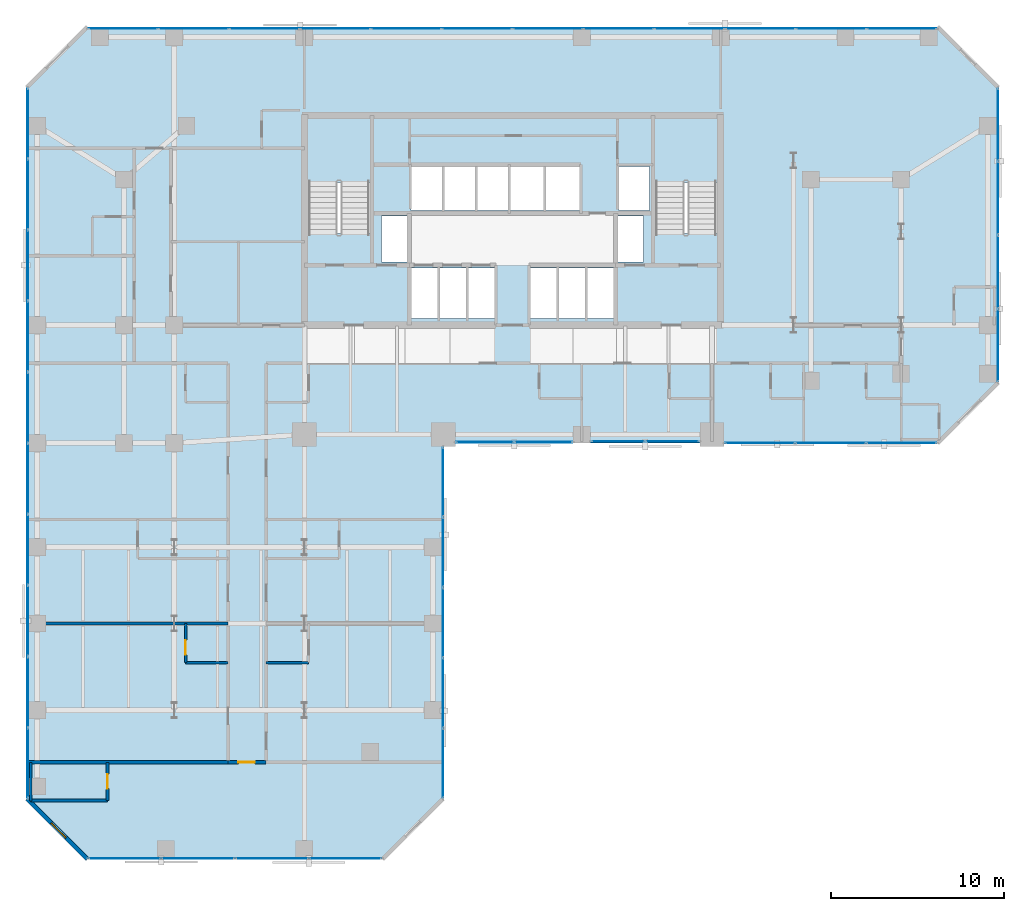
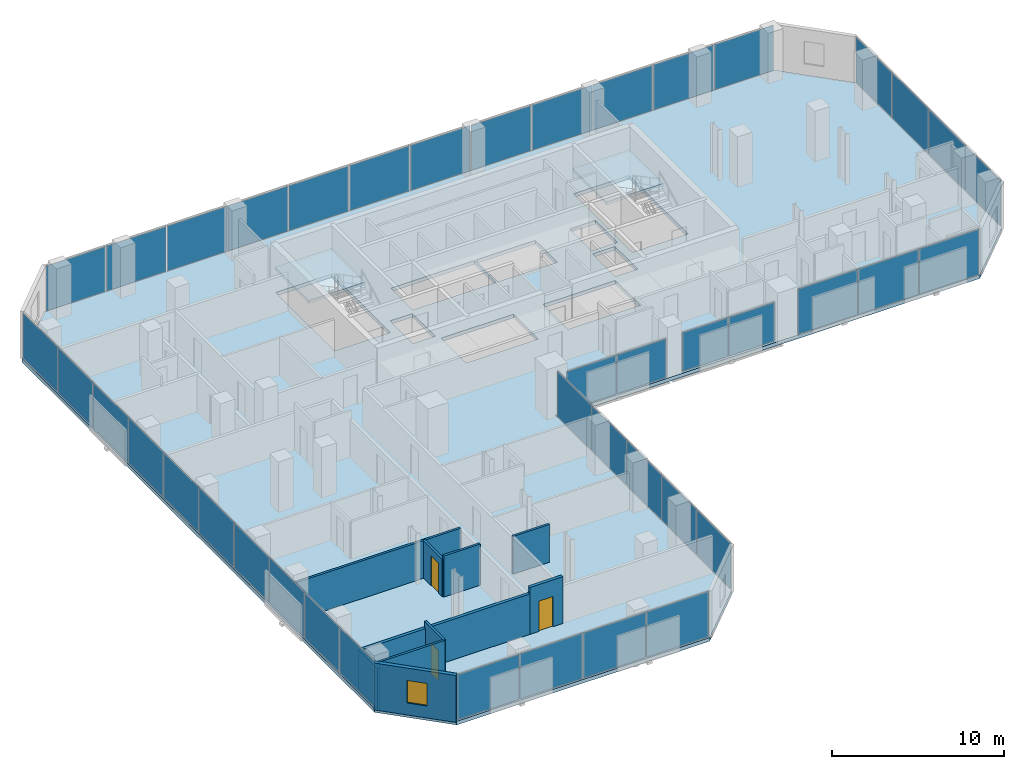
# One storey, part 26 of 32: 42 plates, 10 walls, 3 doors, 3 slabs, 1 window, 4 openings, 10 elements without a shape of their own.
"""IFC4 building model written with IfcOpenShell, lengths in metres."""

from ifc_helpers import new_model, si_unit, direction, frame, frame_2d, origin, origin_2d, place, context, subcontext, project, spatial, polyline, rectangle, outline, extrude, material, layer, layer_set, type_object, element, fill, aggregate, save


model = new_model("IFC4")

# Units and contexts
model_context = context("Model", 3, precision=1e-05, world=origin(), true_north=direction((0.0, 1.0)))
body_context = subcontext(model_context, "Body", "Model", "MODEL_VIEW")
ifc_project = project(units=[si_unit("LENGTHUNIT", "METRE"), si_unit("AREAUNIT", "SQUARE_METRE"), si_unit("VOLUMEUNIT", "CUBIC_METRE"), si_unit("PLANEANGLEUNIT", "RADIAN"), si_unit("MASSUNIT", "GRAM", prefix="KILO")], contexts=[model_context])

# Site, building, storey
site_placement = place(None, origin())
site = spatial("IfcSite", under=ifc_project, at=site_placement, CompositionType="ELEMENT")
building_placement = place(site_placement, origin())
building = spatial("IfcBuilding", under=site, at=building_placement, Name="Catumbela Crestline Tower", CompositionType="ELEMENT")
storey_placement = place(building_placement, frame((0.0, 0.0, 33.0)))
storey = spatial("IfcBuildingStorey", under=building, at=storey_placement, Name="L07", CompositionType="ELEMENT", Elevation=33.0)

# Curtain wall, plates
ifc_material_1 = material(Name="Aluminium alloy AW-6060-T66", Category="aluminium")
ifc_layer_1 = layer(ifc_material_1, 0.18, Name="Aluminium alloy AW-6060-T66")
ifc_layer_set_1 = layer_set([ifc_layer_1], Name="Aluminium alloy AW-6060-T66")
curtain_wall_type = type_object("IfcCurtainWallType", Name="CWU-Z1", PredefinedType="USERDEFINED", material=ifc_layer_set_1)
curtain_wall_1_placement = place(storey_placement, origin())
curtain_wall_1 = element("IfcCurtainWall", 1, at=curtain_wall_1_placement, inside=storey, type_object=curtain_wall_type, Name="L07 Unitised Curtain Wall CW-L07-E0S1", ObjectType="UNITISED", PredefinedType="USERDEFINED")
ifc_material_2 = material(Name="Low-E laminated solar-control double glazing", Category="glass")
ifc_layer_2 = layer(ifc_material_2, 0.034, Name="Low-E laminated solar-control double glazing")
ifc_layer_set_2 = layer_set([ifc_layer_2], Name="Low-E laminated solar-control double glazing")
plate_type = type_object("IfcPlateType", Name="PNL-GLZ-Z1", PredefinedType="CURTAIN_PANEL", material=ifc_layer_set_2)
plate_1_placement = place(storey_placement, frame((5.6412, 0.05, 0.06), z_axis=(0.0, 0.0, 1.0), x_axis=(1.0, 0.0, 0.0)))
plate_1 = element("IfcPlate", 2, at=plate_1_placement, type_object=plate_type, Name="CWU-Z1 panel 1.1", PredefinedType="CURTAIN_PANEL", context=body_context, shape_type="SweptSolid", body=[
    extrude(rectangle(XDim=4.1525, YDim=0.034, at=origin_2d()), origin(), (0.0, 0.0, 1.0), 3.21),
])
plate_2_placement = place(storey_placement, frame((9.875, 0.05, 0.06), z_axis=(0.0, 0.0, 1.0), x_axis=(1.0, 0.0, 0.0)))
plate_2 = element("IfcPlate", 3, at=plate_2_placement, type_object=plate_type, Name="CWU-Z1 panel 2.1", PredefinedType="CURTAIN_PANEL", context=body_context, shape_type="SweptSolid", body=[
    extrude(rectangle(XDim=4.185, YDim=0.034, at=origin_2d()), origin(), (0.0, 0.0, 1.0), 3.21),
])
plate_3_placement = place(storey_placement, frame((14.125, 0.05, 0.06), z_axis=(0.0, 0.0, 1.0), x_axis=(1.0, 0.0, 0.0)))
plate_3 = element("IfcPlate", 4, at=plate_3_placement, type_object=plate_type, Name="CWU-Z1 panel 3.1", PredefinedType="CURTAIN_PANEL", context=body_context, shape_type="SweptSolid", body=[
    extrude(rectangle(XDim=4.185, YDim=0.034, at=origin_2d()), origin(), (0.0, 0.0, 1.0), 3.21),
])
plate_4_placement = place(storey_placement, frame((18.3588, 0.05, 0.06), z_axis=(0.0, 0.0, 1.0), x_axis=(1.0, 0.0, 0.0)))
plate_4 = element("IfcPlate", 5, at=plate_4_placement, type_object=plate_type, Name="CWU-Z1 panel 4.1", PredefinedType="CURTAIN_PANEL", context=body_context, shape_type="SweptSolid", body=[
    extrude(rectangle(XDim=4.1525, YDim=0.034, at=origin_2d()), origin(), (0.0, 0.0, 1.0), 3.21),
])
aggregate(curtain_wall_1, [plate_1, plate_2, plate_3, plate_4])

curtain_wall_2_placement = place(storey_placement, origin())
curtain_wall_2 = element("IfcCurtainWall", 6, at=curtain_wall_2_placement, inside=storey, type_object=curtain_wall_type, Name="L07 Unitised Curtain Wall CW-L07-E2S1", ObjectType="UNITISED", PredefinedType="USERDEFINED")
plate_5_placement = place(storey_placement, frame((24.0, 5.5462, 0.06), z_axis=(0.0, 0.0, 1.0), x_axis=(0.0, 1.0, 0.0)))
plate_5 = element("IfcPlate", 7, at=plate_5_placement, type_object=plate_type, Name="CWU-Z1 panel 1.1", PredefinedType="CURTAIN_PANEL", context=body_context, shape_type="SweptSolid", body=[
    extrude(rectangle(XDim=3.9625, YDim=0.034, at=origin_2d()), origin(), (0.0, 0.0, 1.0), 3.21),
])
plate_6_placement = place(storey_placement, frame((24.0, 9.59, 0.06), z_axis=(0.0, 0.0, 1.0), x_axis=(0.0, 1.0, 0.0)))
plate_6 = element("IfcPlate", 8, at=plate_6_placement, type_object=plate_type, Name="CWU-Z1 panel 2.1", PredefinedType="CURTAIN_PANEL", context=body_context, shape_type="SweptSolid", body=[
    extrude(rectangle(XDim=3.995, YDim=0.034, at=origin_2d()), origin(), (0.0, 0.0, 1.0), 3.21),
])
plate_7_placement = place(storey_placement, frame((24.0, 13.65, 0.06), z_axis=(0.0, 0.0, 1.0), x_axis=(0.0, 1.0, 0.0)))
plate_7 = element("IfcPlate", 9, at=plate_7_placement, type_object=plate_type, Name="CWU-Z1 panel 3.1", PredefinedType="CURTAIN_PANEL", context=body_context, shape_type="SweptSolid", body=[
    extrude(rectangle(XDim=3.995, YDim=0.034, at=origin_2d()), origin(), (0.0, 0.0, 1.0), 3.21),
])
plate_8_placement = place(storey_placement, frame((24.0, 17.71, 0.06), z_axis=(0.0, 0.0, 1.0), x_axis=(0.0, 1.0, 0.0)))
plate_8 = element("IfcPlate", 10, at=plate_8_placement, type_object=plate_type, Name="CWU-Z1 panel 4.1", PredefinedType="CURTAIN_PANEL", context=body_context, shape_type="SweptSolid", body=[
    extrude(rectangle(XDim=3.995, YDim=0.034, at=origin_2d()), origin(), (0.0, 0.0, 1.0), 3.21),
])
plate_9_placement = place(storey_placement, frame((24.0, 21.7538, 0.06), z_axis=(0.0, 0.0, 1.0), x_axis=(0.0, 1.0, 0.0)))
plate_9 = element("IfcPlate", 11, at=plate_9_placement, type_object=plate_type, Name="CWU-Z1 panel 5.1", PredefinedType="CURTAIN_PANEL", context=body_context, shape_type="SweptSolid", body=[
    extrude(rectangle(XDim=3.9625, YDim=0.034, at=origin_2d()), origin(), (0.0, 0.0, 1.0), 3.21),
])
aggregate(curtain_wall_2, [plate_5, plate_6, plate_7, plate_8, plate_9])

curtain_wall_3_placement = place(storey_placement, origin())
curtain_wall_3 = element("IfcCurtainWall", 12, at=curtain_wall_3_placement, inside=storey, type_object=curtain_wall_type, Name="L07 Unitised Curtain Wall CW-L07-E3S1", ObjectType="UNITISED", PredefinedType="USERDEFINED")
plate_10_placement = place(storey_placement, frame((26.4162, 24.05, 0.06), z_axis=(0.0, 0.0, 1.0), x_axis=(1.0, 0.0, 0.0)))
plate_10 = element("IfcPlate", 13, at=plate_10_placement, type_object=plate_type, Name="CWU-Z1 panel 1.1", PredefinedType="CURTAIN_PANEL", context=body_context, shape_type="SweptSolid", body=[
    extrude(rectangle(XDim=3.3025, YDim=0.034, at=origin_2d()), origin(), (0.0, 0.0, 1.0), 2.75),
])
plate_11_placement = place(storey_placement, frame((29.7838, 24.05, 0.06), z_axis=(0.0, 0.0, 1.0), x_axis=(1.0, 0.0, 0.0)))
plate_11 = element("IfcPlate", 14, at=plate_11_placement, type_object=plate_type, Name="CWU-Z1 panel 2.1", PredefinedType="CURTAIN_PANEL", context=body_context, shape_type="SweptSolid", body=[
    extrude(rectangle(XDim=3.3025, YDim=0.034, at=origin_2d()), origin(), (0.0, 0.0, 1.0), 2.75),
])
aggregate(curtain_wall_3, [plate_10, plate_11])

curtain_wall_4_placement = place(storey_placement, origin())
curtain_wall_4 = element("IfcCurtainWall", 15, at=curtain_wall_4_placement, inside=storey, type_object=curtain_wall_type, Name="L07 Unitised Curtain Wall CW-L07-E3S2", ObjectType="UNITISED", PredefinedType="USERDEFINED")
plate_12_placement = place(storey_placement, frame((34.0912, 24.1, 0.06), z_axis=(0.0, 0.0, 1.0), x_axis=(1.0, 0.0, 0.0)))
plate_12 = element("IfcPlate", 16, at=plate_12_placement, type_object=plate_type, Name="CWU-Z1 panel 1.1", PredefinedType="CURTAIN_PANEL", context=body_context, shape_type="SweptSolid", body=[
    extrude(rectangle(XDim=3.0525, YDim=0.034, at=origin_2d()), origin(), (0.0, 0.0, 1.0), 2.75),
])
plate_13_placement = place(storey_placement, frame((37.2088, 24.1, 0.06), z_axis=(0.0, 0.0, 1.0), x_axis=(1.0, 0.0, 0.0)))
plate_13 = element("IfcPlate", 17, at=plate_13_placement, type_object=plate_type, Name="CWU-Z1 panel 2.1", PredefinedType="CURTAIN_PANEL", context=body_context, shape_type="SweptSolid", body=[
    extrude(rectangle(XDim=3.0525, YDim=0.034, at=origin_2d()), origin(), (0.0, 0.0, 1.0), 2.75),
])
aggregate(curtain_wall_4, [plate_12, plate_13])

curtain_wall_5_placement = place(storey_placement, origin())
curtain_wall_5 = element("IfcCurtainWall", 18, at=curtain_wall_5_placement, inside=storey, type_object=curtain_wall_type, Name="L07 Unitised Curtain Wall CW-L07-E3S3", ObjectType="UNITISED", PredefinedType="USERDEFINED")
plate_14_placement = place(storey_placement, frame((42.2662, 24.0, 0.06), z_axis=(0.0, 0.0, 1.0), x_axis=(1.0, 0.0, 0.0)))
plate_14 = element("IfcPlate", 19, at=plate_14_placement, type_object=plate_type, Name="CWU-Z1 panel 1.1", PredefinedType="CURTAIN_PANEL", context=body_context, shape_type="SweptSolid", body=[
    extrude(rectangle(XDim=4.0025, YDim=0.034, at=origin_2d()), origin(), (0.0, 0.0, 1.0), 3.21),
])
plate_15_placement = place(storey_placement, frame((46.35, 24.0, 0.06), z_axis=(0.0, 0.0, 1.0), x_axis=(1.0, 0.0, 0.0)))
plate_15 = element("IfcPlate", 20, at=plate_15_placement, type_object=plate_type, Name="CWU-Z1 panel 2.1", PredefinedType="CURTAIN_PANEL", context=body_context, shape_type="SweptSolid", body=[
    extrude(rectangle(XDim=4.035, YDim=0.034, at=origin_2d()), origin(), (0.0, 0.0, 1.0), 3.21),
])
plate_16_placement = place(storey_placement, frame((50.4338, 24.0, 0.06), z_axis=(0.0, 0.0, 1.0), x_axis=(1.0, 0.0, 0.0)))
plate_16 = element("IfcPlate", 21, at=plate_16_placement, type_object=plate_type, Name="CWU-Z1 panel 3.1", PredefinedType="CURTAIN_PANEL", context=body_context, shape_type="SweptSolid", body=[
    extrude(rectangle(XDim=4.0025, YDim=0.034, at=origin_2d()), origin(), (0.0, 0.0, 1.0), 3.21),
])
aggregate(curtain_wall_5, [plate_14, plate_15, plate_16])

curtain_wall_6_placement = place(storey_placement, origin())
curtain_wall_6 = element("IfcCurtainWall", 22, at=curtain_wall_6_placement, inside=storey, type_object=curtain_wall_type, Name="L07 Unitised Curtain Wall CW-L07-E5S1", ObjectType="UNITISED", PredefinedType="USERDEFINED")
plate_17_placement = place(storey_placement, frame((56.0, 29.6412, 0.06), z_axis=(0.0, 0.0, 1.0), x_axis=(0.0, 1.0, 0.0)))
plate_17 = element("IfcPlate", 23, at=plate_17_placement, type_object=plate_type, Name="CWU-Z1 panel 1.1", PredefinedType="CURTAIN_PANEL", context=body_context, shape_type="SweptSolid", body=[
    extrude(rectangle(XDim=4.1525, YDim=0.034, at=origin_2d()), origin(), (0.0, 0.0, 1.0), 3.21),
])
plate_18_placement = place(storey_placement, frame((56.0, 33.875, 0.06), z_axis=(0.0, 0.0, 1.0), x_axis=(0.0, 1.0, 0.0)))
plate_18 = element("IfcPlate", 24, at=plate_18_placement, type_object=plate_type, Name="CWU-Z1 panel 2.1", PredefinedType="CURTAIN_PANEL", context=body_context, shape_type="SweptSolid", body=[
    extrude(rectangle(XDim=4.185, YDim=0.034, at=origin_2d()), origin(), (0.0, 0.0, 1.0), 3.21),
])
plate_19_placement = place(storey_placement, frame((56.0, 38.125, 0.06), z_axis=(0.0, 0.0, 1.0), x_axis=(0.0, 1.0, 0.0)))
plate_19 = element("IfcPlate", 25, at=plate_19_placement, type_object=plate_type, Name="CWU-Z1 panel 3.1", PredefinedType="CURTAIN_PANEL", context=body_context, shape_type="SweptSolid", body=[
    extrude(rectangle(XDim=4.185, YDim=0.034, at=origin_2d()), origin(), (0.0, 0.0, 1.0), 3.21),
])
plate_20_placement = place(storey_placement, frame((56.0, 42.3588, 0.06), z_axis=(0.0, 0.0, 1.0), x_axis=(0.0, 1.0, 0.0)))
plate_20 = element("IfcPlate", 26, at=plate_20_placement, type_object=plate_type, Name="CWU-Z1 panel 4.1", PredefinedType="CURTAIN_PANEL", context=body_context, shape_type="SweptSolid", body=[
    extrude(rectangle(XDim=4.1525, YDim=0.034, at=origin_2d()), origin(), (0.0, 0.0, 1.0), 3.21),
])
aggregate(curtain_wall_6, [plate_17, plate_18, plate_19, plate_20])

curtain_wall_7_placement = place(storey_placement, origin())
curtain_wall_7 = element("IfcCurtainWall", 27, at=curtain_wall_7_placement, inside=storey, type_object=curtain_wall_type, Name="L07 Unitised Curtain Wall CW-L07-E7S1", ObjectType="UNITISED", PredefinedType="USERDEFINED")
plate_21_placement = place(storey_placement, frame((50.4421, 47.9, 0.06), z_axis=(0.0, 0.0, 1.0), x_axis=(-1.0, 0.0, 0.0)))
plate_21 = element("IfcPlate", 28, at=plate_21_placement, type_object=plate_type, Name="CWU-Z1 panel 1.1", PredefinedType="CURTAIN_PANEL", context=body_context, shape_type="SweptSolid", body=[
    extrude(rectangle(XDim=3.9858, YDim=0.034, at=origin_2d()), origin(), (0.0, 0.0, 1.0), 3.21),
])
plate_22_placement = place(storey_placement, frame((46.375, 47.9, 0.06), z_axis=(0.0, 0.0, 1.0), x_axis=(-1.0, 0.0, 0.0)))
plate_22 = element("IfcPlate", 29, at=plate_22_placement, type_object=plate_type, Name="CWU-Z1 panel 2.1", PredefinedType="CURTAIN_PANEL", context=body_context, shape_type="SweptSolid", body=[
    extrude(rectangle(XDim=4.0183, YDim=0.034, at=origin_2d()), origin(), (0.0, 0.0, 1.0), 3.21),
])
plate_23_placement = place(storey_placement, frame((42.2917, 47.9, 0.06), z_axis=(0.0, 0.0, 1.0), x_axis=(-1.0, 0.0, 0.0)))
plate_23 = element("IfcPlate", 30, at=plate_23_placement, type_object=plate_type, Name="CWU-Z1 panel 3.1", PredefinedType="CURTAIN_PANEL", context=body_context, shape_type="SweptSolid", body=[
    extrude(rectangle(XDim=4.0183, YDim=0.034, at=origin_2d()), origin(), (0.0, 0.0, 1.0), 3.21),
])
plate_24_placement = place(storey_placement, frame((38.2083, 47.9, 0.06), z_axis=(0.0, 0.0, 1.0), x_axis=(-1.0, 0.0, 0.0)))
plate_24 = element("IfcPlate", 31, at=plate_24_placement, type_object=plate_type, Name="CWU-Z1 panel 4.1", PredefinedType="CURTAIN_PANEL", context=body_context, shape_type="SweptSolid", body=[
    extrude(rectangle(XDim=4.0183, YDim=0.034, at=origin_2d()), origin(), (0.0, 0.0, 1.0), 3.21),
])
plate_25_placement = place(storey_placement, frame((34.125, 47.9, 0.06), z_axis=(0.0, 0.0, 1.0), x_axis=(-1.0, 0.0, 0.0)))
plate_25 = element("IfcPlate", 32, at=plate_25_placement, type_object=plate_type, Name="CWU-Z1 panel 5.1", PredefinedType="CURTAIN_PANEL", context=body_context, shape_type="SweptSolid", body=[
    extrude(rectangle(XDim=4.0183, YDim=0.034, at=origin_2d()), origin(), (0.0, 0.0, 1.0), 3.21),
])
plate_26_placement = place(storey_placement, frame((30.0417, 47.9, 0.06), z_axis=(0.0, 0.0, 1.0), x_axis=(-1.0, 0.0, 0.0)))
plate_26 = element("IfcPlate", 33, at=plate_26_placement, type_object=plate_type, Name="CWU-Z1 panel 6.1", PredefinedType="CURTAIN_PANEL", context=body_context, shape_type="SweptSolid", body=[
    extrude(rectangle(XDim=4.0183, YDim=0.034, at=origin_2d()), origin(), (0.0, 0.0, 1.0), 3.21),
])
plate_27_placement = place(storey_placement, frame((25.9583, 47.9, 0.06), z_axis=(0.0, 0.0, 1.0), x_axis=(-1.0, 0.0, 0.0)))
plate_27 = element("IfcPlate", 34, at=plate_27_placement, type_object=plate_type, Name="CWU-Z1 panel 7.1", PredefinedType="CURTAIN_PANEL", context=body_context, shape_type="SweptSolid", body=[
    extrude(rectangle(XDim=4.0183, YDim=0.034, at=origin_2d()), origin(), (0.0, 0.0, 1.0), 3.21),
])
plate_28_placement = place(storey_placement, frame((21.875, 47.9, 0.06), z_axis=(0.0, 0.0, 1.0), x_axis=(-1.0, 0.0, 0.0)))
plate_28 = element("IfcPlate", 35, at=plate_28_placement, type_object=plate_type, Name="CWU-Z1 panel 8.1", PredefinedType="CURTAIN_PANEL", context=body_context, shape_type="SweptSolid", body=[
    extrude(rectangle(XDim=4.0183, YDim=0.034, at=origin_2d()), origin(), (0.0, 0.0, 1.0), 3.21),
])
plate_29_placement = place(storey_placement, frame((17.7917, 47.9, 0.06), z_axis=(0.0, 0.0, 1.0), x_axis=(-1.0, 0.0, 0.0)))
plate_29 = element("IfcPlate", 36, at=plate_29_placement, type_object=plate_type, Name="CWU-Z1 panel 9.1", PredefinedType="CURTAIN_PANEL", context=body_context, shape_type="SweptSolid", body=[
    extrude(rectangle(XDim=4.0183, YDim=0.034, at=origin_2d()), origin(), (0.0, 0.0, 1.0), 3.21),
])
plate_30_placement = place(storey_placement, frame((13.7083, 47.9, 0.06), z_axis=(0.0, 0.0, 1.0), x_axis=(-1.0, 0.0, 0.0)))
plate_30 = element("IfcPlate", 37, at=plate_30_placement, type_object=plate_type, Name="CWU-Z1 panel 10.1", PredefinedType="CURTAIN_PANEL", context=body_context, shape_type="SweptSolid", body=[
    extrude(rectangle(XDim=4.0183, YDim=0.034, at=origin_2d()), origin(), (0.0, 0.0, 1.0), 3.21),
])
plate_31_placement = place(storey_placement, frame((9.625, 47.9, 0.06), z_axis=(0.0, 0.0, 1.0), x_axis=(-1.0, 0.0, 0.0)))
plate_31 = element("IfcPlate", 38, at=plate_31_placement, type_object=plate_type, Name="CWU-Z1 panel 11.1", PredefinedType="CURTAIN_PANEL", context=body_context, shape_type="SweptSolid", body=[
    extrude(rectangle(XDim=4.0183, YDim=0.034, at=origin_2d()), origin(), (0.0, 0.0, 1.0), 3.21),
])
plate_32_placement = place(storey_placement, frame((5.5579, 47.9, 0.06), z_axis=(0.0, 0.0, 1.0), x_axis=(-1.0, 0.0, 0.0)))
plate_32 = element("IfcPlate", 39, at=plate_32_placement, type_object=plate_type, Name="CWU-Z1 panel 12.1", PredefinedType="CURTAIN_PANEL", context=body_context, shape_type="SweptSolid", body=[
    extrude(rectangle(XDim=3.9858, YDim=0.034, at=origin_2d()), origin(), (0.0, 0.0, 1.0), 3.21),
])
aggregate(curtain_wall_7, [plate_21, plate_22, plate_23, plate_24, plate_25, plate_26, plate_27, plate_28, plate_29, plate_30, plate_31, plate_32])

curtain_wall_8_placement = place(storey_placement, origin())
curtain_wall_8 = element("IfcCurtainWall", 40, at=curtain_wall_8_placement, inside=storey, type_object=curtain_wall_type, Name="L07 Unitised Curtain Wall CW-L07-E9S1", ObjectType="UNITISED", PredefinedType="USERDEFINED")
plate_33_placement = place(storey_placement, frame((0.05, 42.4338, 0.06), z_axis=(0.0, 0.0, 1.0), x_axis=(0.0, -1.0, 0.0)))
plate_33 = element("IfcPlate", 41, at=plate_33_placement, type_object=plate_type, Name="CWU-Z1 panel 1.1", PredefinedType="CURTAIN_PANEL", context=body_context, shape_type="SweptSolid", body=[
    extrude(rectangle(XDim=4.0025, YDim=0.034, at=origin_2d()), origin(), (0.0, 0.0, 1.0), 3.21),
])
plate_34_placement = place(storey_placement, frame((0.05, 38.35, 0.06), z_axis=(0.0, 0.0, 1.0), x_axis=(0.0, -1.0, 0.0)))
plate_34 = element("IfcPlate", 42, at=plate_34_placement, type_object=plate_type, Name="CWU-Z1 panel 2.1", PredefinedType="CURTAIN_PANEL", context=body_context, shape_type="SweptSolid", body=[
    extrude(rectangle(XDim=4.035, YDim=0.034, at=origin_2d()), origin(), (0.0, 0.0, 1.0), 3.21),
])
plate_35_placement = place(storey_placement, frame((0.05, 34.25, 0.06), z_axis=(0.0, 0.0, 1.0), x_axis=(0.0, -1.0, 0.0)))
plate_35 = element("IfcPlate", 43, at=plate_35_placement, type_object=plate_type, Name="CWU-Z1 panel 3.1", PredefinedType="CURTAIN_PANEL", context=body_context, shape_type="SweptSolid", body=[
    extrude(rectangle(XDim=4.035, YDim=0.034, at=origin_2d()), origin(), (0.0, 0.0, 1.0), 3.21),
])
plate_36_placement = place(storey_placement, frame((0.05, 30.15, 0.06), z_axis=(0.0, 0.0, 1.0), x_axis=(0.0, -1.0, 0.0)))
plate_36 = element("IfcPlate", 44, at=plate_36_placement, type_object=plate_type, Name="CWU-Z1 panel 4.1", PredefinedType="CURTAIN_PANEL", context=body_context, shape_type="SweptSolid", body=[
    extrude(rectangle(XDim=4.035, YDim=0.034, at=origin_2d()), origin(), (0.0, 0.0, 1.0), 3.21),
])
plate_37_placement = place(storey_placement, frame((0.05, 26.05, 0.06), z_axis=(0.0, 0.0, 1.0), x_axis=(0.0, -1.0, 0.0)))
plate_37 = element("IfcPlate", 45, at=plate_37_placement, type_object=plate_type, Name="CWU-Z1 panel 5.1", PredefinedType="CURTAIN_PANEL", context=body_context, shape_type="SweptSolid", body=[
    extrude(rectangle(XDim=4.035, YDim=0.034, at=origin_2d()), origin(), (0.0, 0.0, 1.0), 3.21),
])
plate_38_placement = place(storey_placement, frame((0.05, 21.95, 0.06), z_axis=(0.0, 0.0, 1.0), x_axis=(0.0, -1.0, 0.0)))
plate_38 = element("IfcPlate", 46, at=plate_38_placement, type_object=plate_type, Name="CWU-Z1 panel 6.1", PredefinedType="CURTAIN_PANEL", context=body_context, shape_type="SweptSolid", body=[
    extrude(rectangle(XDim=4.035, YDim=0.034, at=origin_2d()), origin(), (0.0, 0.0, 1.0), 3.21),
])
plate_39_placement = place(storey_placement, frame((0.05, 17.85, 0.06), z_axis=(0.0, 0.0, 1.0), x_axis=(0.0, -1.0, 0.0)))
plate_39 = element("IfcPlate", 47, at=plate_39_placement, type_object=plate_type, Name="CWU-Z1 panel 7.1", PredefinedType="CURTAIN_PANEL", context=body_context, shape_type="SweptSolid", body=[
    extrude(rectangle(XDim=4.035, YDim=0.034, at=origin_2d()), origin(), (0.0, 0.0, 1.0), 3.21),
])
plate_40_placement = place(storey_placement, frame((0.05, 13.75, 0.06), z_axis=(0.0, 0.0, 1.0), x_axis=(0.0, -1.0, 0.0)))
plate_40 = element("IfcPlate", 48, at=plate_40_placement, type_object=plate_type, Name="CWU-Z1 panel 8.1", PredefinedType="CURTAIN_PANEL", context=body_context, shape_type="SweptSolid", body=[
    extrude(rectangle(XDim=4.035, YDim=0.034, at=origin_2d()), origin(), (0.0, 0.0, 1.0), 3.21),
])
plate_41_placement = place(storey_placement, frame((0.05, 9.65, 0.06), z_axis=(0.0, 0.0, 1.0), x_axis=(0.0, -1.0, 0.0)))
plate_41 = element("IfcPlate", 49, at=plate_41_placement, type_object=plate_type, Name="CWU-Z1 panel 9.1", PredefinedType="CURTAIN_PANEL", context=body_context, shape_type="SweptSolid", body=[
    extrude(rectangle(XDim=4.035, YDim=0.034, at=origin_2d()), origin(), (0.0, 0.0, 1.0), 3.21),
])
plate_42_placement = place(storey_placement, frame((0.05, 5.5662, 0.06), z_axis=(0.0, 0.0, 1.0), x_axis=(0.0, -1.0, 0.0)))
plate_42 = element("IfcPlate", 50, at=plate_42_placement, type_object=plate_type, Name="CWU-Z1 panel 10.1", PredefinedType="CURTAIN_PANEL", context=body_context, shape_type="SweptSolid", body=[
    extrude(rectangle(XDim=4.0025, YDim=0.034, at=origin_2d()), origin(), (0.0, 0.0, 1.0), 3.21),
])
aggregate(curtain_wall_8, [plate_33, plate_34, plate_35, plate_36, plate_37, plate_38, plate_39, plate_40, plate_41, plate_42])

# Stair, slab
ifc_material_3 = material(Name="Concrete C45/55", Category="concrete")
stair_type = type_object("IfcStairType", Name="ST-DLG", PredefinedType="HALF_TURN_STAIR", material=ifc_material_3)
stair_1_placement = place(storey_placement, origin())
stair_1 = element("IfcStair", 51, at=stair_1_placement, inside=storey, type_object=stair_type, Name="L07 West Core Pressurised Exit Stair ST-01", PredefinedType="HALF_TURN_STAIR")
ifc_layer_3 = layer(ifc_material_3, 0.2, Name="Concrete C45/55")
ifc_layer_set_3 = layer_set([ifc_layer_3], Name="Concrete C45/55")
slab_type_1 = type_object("IfcSlabType", Name="SL-LND", PredefinedType="LANDING", material=ifc_layer_set_3)
slab_1_placement = place(storey_placement, frame((0.0, 0.0, 1.6)))
slab_1 = element("IfcSlab", 52, at=slab_1_placement, type_object=slab_type_1, Name="ST-01 landing 1", PredefinedType="LANDING", context=body_context, shape_type="SweptSolid", body=[
    extrude(outline(polyline([(19.91, 39.02), (19.91, 42.96), (16.09, 42.96), (16.09, 39.02), (19.91, 39.02)])), origin(), (0.0, 0.0, 1.0), 0.2),
])
aggregate(stair_1, [slab_1])

stair_2_placement = place(storey_placement, origin())
stair_2 = element("IfcStair", 53, at=stair_2_placement, inside=storey, type_object=stair_type, Name="L07 East Core Pressurised Exit Stair ST-02", PredefinedType="HALF_TURN_STAIR")
slab_2_placement = place(storey_placement, frame((0.0, 0.0, 1.6)))
slab_2 = element("IfcSlab", 54, at=slab_2_placement, type_object=slab_type_1, Name="ST-02 landing 1", PredefinedType="LANDING", context=body_context, shape_type="SweptSolid", body=[
    extrude(outline(polyline([(39.91, 39.02), (39.91, 42.96), (36.09, 42.96), (36.09, 39.02), (39.91, 39.02)])), origin(), (0.0, 0.0, 1.0), 0.2),
])
aggregate(stair_2, [slab_2])

# Slab
ifc_layer_4 = layer(ifc_material_3, 0.26, Name="Concrete C45/55")
ifc_layer_set_4 = layer_set([ifc_layer_4], Name="Concrete C45/55")
slab_type_2 = type_object("IfcSlabType", Name="SL-260", PredefinedType="FLOOR", material=ifc_layer_set_4)
slab_3_placement = place(storey_placement, frame((0.0, 0.0, -0.26)))
element("IfcSlab", 55, at=slab_3_placement, inside=storey, type_object=slab_type_2, Name="L07 Structural Floor Slab", PredefinedType="FLOOR", context=body_context, shape_type="SweptSolid", body=[
    extrude(outline(polyline([(3.5, 0.0), (20.5, 0.0), (24.0, 3.5), (24.0, 24.0), (52.5, 24.0), (56.0, 27.5), (56.0, 44.5), (52.5, 48.0), (3.5, 48.0), (0.0, 44.5), (0.0, 3.5), (3.5, 0.0)]), holes=[polyline([(16.13, 36.08), (19.87, 36.08), (19.87, 42.92), (16.13, 42.92), (16.13, 36.08)]), polyline([(36.13, 36.08), (39.87, 36.08), (39.87, 42.92), (36.13, 42.92), (36.13, 36.08)]), polyline([(22.15, 31.2), (27.0, 31.2), (27.0, 34.1), (22.15, 34.1), (22.15, 31.2)]), polyline([(29.0, 31.2), (33.85, 31.2), (33.85, 34.1), (29.0, 34.1), (29.0, 31.2)]), polyline([(22.15, 37.4), (27.75, 37.4), (27.75, 39.95), (22.15, 39.95), (22.15, 37.4)]), polyline([(27.85, 37.4), (31.85, 37.4), (31.85, 39.95), (27.85, 39.95), (27.85, 37.4)]), polyline([(20.45, 34.45), (21.95, 34.45), (21.95, 37.1), (20.45, 37.1), (20.45, 34.45)]), polyline([(34.05, 34.45), (35.55, 34.45), (35.55, 37.1), (34.05, 37.1), (34.05, 34.45)]), polyline([(34.15, 37.4), (35.9, 37.4), (35.9, 39.95), (34.15, 39.95), (34.15, 37.4)])]), origin(), (0.0, 0.0, 1.0), 0.26),
])

# Wall, opening, door
ifc_material_4 = material(Name="Acoustic gypsum and mineral-wool partition")
ifc_layer_5 = layer(ifc_material_4, 0.2, Name="Acoustic gypsum and mineral-wool partition")
ifc_layer_set_5 = layer_set([ifc_layer_5], Name="Acoustic gypsum and mineral-wool partition")
wall_type_1 = type_object("IfcWallType", Name="WC-200", PredefinedType="PARTITIONING", material=ifc_layer_set_5)
wall_1_placement = place(storey_placement, frame((11.6, 5.6, 0.0), z_axis=(0.0, 0.0, 1.0), x_axis=(1.0, 0.0, 0.0)))
wall_1 = element("IfcWall", 56, at=wall_1_placement, inside=storey, type_object=wall_type_1, Name="L07 Interior Partition PW-L07-WTIP-ENT", PredefinedType="PARTITIONING", context=body_context, shape_type="SweptSolid", body=[
    extrude(rectangle(XDim=2.2, YDim=0.2, at=frame_2d((1.1, 0.0))), origin(), (0.0, 0.0, 1.0), 3.33),
])
opening_1_placement = place(wall_1_placement, frame((0.5925, 0.0, 0.0)))
opening_1 = element("IfcOpeningElement", 57, at=opening_1_placement, cuts=wall_1, Name="Opening DF6-095", PredefinedType="OPENING", context=body_context, shape_type="SweptSolid", body=[
    extrude(rectangle(XDim=0.95, YDim=2.15, at=frame_2d((0.475, 1.075))), frame((0.0, 0.11, 0.0), z_axis=(0.0, -1.0, 0.0), x_axis=(1.0, 0.0, 0.0)), (0.0, 0.0, 1.0), 0.22),
])
door_type_1 = type_object("IfcDoorType", Name="DF6-095", OperationType="NOTDEFINED", PredefinedType="DOOR", material=ifc_material_1)
door_1_placement = place(opening_1_placement, origin())
door_1 = element("IfcDoor", 58, at=door_1_placement, inside=storey, type_object=door_type_1, Name="L07 Interior Door DR-L07-WTIP-ENT", OperationType="SINGLE_SWING_LEFT", OverallHeight=2.15, OverallWidth=0.95, PredefinedType="DOOR", context=body_context, shape_type="SweptSolid", body=[
    extrude(rectangle(XDim=0.95, YDim=2.15, at=frame_2d((0.475, 1.075))), frame((0.0, 0.025, 0.0), z_axis=(0.0, -1.0, 0.0), x_axis=(1.0, 0.0, 0.0)), (0.0, 0.0, 1.0), 0.05),
])
fill(opening_1, door_1)

# Wall, opening, window
ifc_material_5 = material(Name="Angolan grey-ochre granite", Category="masonry")
ifc_layer_6 = layer(ifc_material_5, 0.25, Name="Angolan grey-ochre granite")
ifc_layer_set_6 = layer_set([ifc_layer_6], Name="Angolan grey-ochre granite")
wall_type_2 = type_object("IfcWallType", Name="WE-250", PredefinedType="STANDARD", material=ifc_layer_set_6)
wall_2_placement = place(storey_placement, frame((0.0, 3.5, 0.0), z_axis=(0.0, 0.0, 1.0), x_axis=(0.707106781187, -0.707106781187, 0.0)))
wall_2 = element("IfcWall", 59, at=wall_2_placement, inside=storey, type_object=wall_type_2, Name="L07 Granite Punched Window Wall 10-1", PredefinedType="STANDARD", context=body_context, shape_type="SweptSolid", body=[
    extrude(rectangle(XDim=4.9497, YDim=0.25, at=frame_2d((2.4748, 0.0))), origin(), (0.0, 0.0, 1.0), 3.33),
])
opening_2_placement = place(wall_2_placement, frame((1.9851, 0.0, 0.85)))
opening_2 = element("IfcOpeningElement", 60, at=opening_2_placement, cuts=wall_2, Name="Opening WN-02", PredefinedType="OPENING", context=body_context, shape_type="SweptSolid", body=[
    extrude(rectangle(XDim=1.2, YDim=1.6, at=frame_2d((0.6, 0.8))), frame((0.0, 0.135, 0.0), z_axis=(0.0, -1.0, 0.0), x_axis=(1.0, 0.0, 0.0)), (0.0, 0.0, 1.0), 0.27),
])
window_type = type_object("IfcWindowType", Name="WO-1200", PartitioningType="SINGLE_PANEL", PredefinedType="WINDOW", material=ifc_material_2)
window_placement = place(opening_2_placement, origin())
window = element("IfcWindow", 61, at=window_placement, inside=storey, type_object=window_type, Name="L07 Facade Vision Window 62", OverallHeight=1.6, OverallWidth=1.2, PartitioningType="SINGLE_PANEL", PredefinedType="WINDOW", context=body_context, shape_type="SweptSolid", body=[
    extrude(rectangle(XDim=1.2, YDim=1.6, at=frame_2d((0.6, 0.8))), frame((0.0, 0.03, 0.0), z_axis=(0.0, -1.0, 0.0), x_axis=(1.0, 0.0, 0.0)), (0.0, 0.0, 1.0), 0.06),
])
fill(opening_2, window)

# Wall
ifc_layer_7 = layer(ifc_material_4, 0.15, Name="Acoustic gypsum and mineral-wool partition")
ifc_layer_set_7 = layer_set([ifc_layer_7], Name="Acoustic gypsum and mineral-wool partition")
wall_type_3 = type_object("IfcWallType", Name="WP-150", PredefinedType="PARTITIONING", material=ifc_layer_set_7)
wall_3_placement = place(storey_placement, frame((0.2, 3.4, 0.0), z_axis=(0.0, 0.0, 1.0), x_axis=(1.0, 0.0, 0.0)))
element("IfcWall", 62, at=wall_3_placement, inside=storey, type_object=wall_type_3, Name="L07 Interior Partition PW-L07-WTIP-BHW", PredefinedType="PARTITIONING", context=body_context, shape_type="SweptSolid", body=[
    extrude(rectangle(XDim=4.45, YDim=0.15, at=frame_2d((2.225, 0.0))), origin(), (0.0, 0.0, 1.0), 3.33),
])

# Wall, opening, door
wall_4_placement = place(storey_placement, frame((4.65, 3.4, 0.0), z_axis=(0.0, 0.0, 1.0), x_axis=(0.0, 1.0, 0.0)))
wall_4 = element("IfcWall", 63, at=wall_4_placement, inside=storey, type_object=wall_type_3, Name="L07 Interior Partition PW-L07-WTIP-BEW", PredefinedType="PARTITIONING", context=body_context, shape_type="SweptSolid", body=[
    extrude(rectangle(XDim=2.2, YDim=0.15, at=frame_2d((1.1, 0.0))), origin(), (0.0, 0.0, 1.0), 3.33),
])
opening_3_placement = place(wall_4_placement, frame((0.675, 0.0, 0.0)))
opening_3 = element("IfcOpeningElement", 64, at=opening_3_placement, cuts=wall_4, Name="Opening DI-085", PredefinedType="OPENING", context=body_context, shape_type="SweptSolid", body=[
    extrude(rectangle(XDim=0.85, YDim=2.15, at=frame_2d((0.425, 1.075))), frame((0.0, 0.085, 0.0), z_axis=(0.0, -1.0, 0.0), x_axis=(1.0, 0.0, 0.0)), (0.0, 0.0, 1.0), 0.17),
])
door_type_2 = type_object("IfcDoorType", Name="DI-085", OperationType="NOTDEFINED", PredefinedType="DOOR", material=ifc_material_1)
door_2_placement = place(opening_3_placement, origin())
door_2 = element("IfcDoor", 65, at=door_2_placement, inside=storey, type_object=door_type_2, Name="L07 Interior Door DR-L07-WTIP-BTH", OperationType="SINGLE_SWING_LEFT", OverallHeight=2.15, OverallWidth=0.85, PredefinedType="DOOR", context=body_context, shape_type="SweptSolid", body=[
    extrude(rectangle(XDim=0.85, YDim=2.15, at=frame_2d((0.425, 1.075))), frame((0.0, 0.025, 0.0), z_axis=(0.0, -1.0, 0.0), x_axis=(1.0, 0.0, 0.0)), (0.0, 0.0, 1.0), 0.05),
])
fill(opening_3, door_2)

# Walls
wall_5_placement = place(storey_placement, frame((0.22, 3.38, 0.0), z_axis=(0.0, 0.0, 1.0), x_axis=(0.0, 1.0, 0.0)))
element("IfcWall", 66, at=wall_5_placement, inside=storey, type_object=wall_type_3, Name="L07 Interior Partition PW-L07-WTIP-BCL-3", PredefinedType="PARTITIONING", context=body_context, shape_type="SweptSolid", body=[
    extrude(rectangle(XDim=2.22, YDim=0.15, at=frame_2d((1.11, 0.0))), origin(), (0.0, 0.0, 1.0), 2.87),
])
wall_6_placement = place(storey_placement, frame((9.15, 11.35, 0.0), z_axis=(0.0, 0.0, 1.0), x_axis=(1.0, 0.0, 0.0)))
element("IfcWall", 67, at=wall_6_placement, inside=storey, type_object=wall_type_3, Name="L07 Interior Partition PW-L07-WL1-BSW", PredefinedType="PARTITIONING", context=body_context, shape_type="SweptSolid", body=[
    extrude(rectangle(XDim=2.45, YDim=0.15, at=frame_2d((1.225, 0.0))), origin(), (0.0, 0.0, 1.0), 2.92),
])

# Wall, opening, door
wall_7_placement = place(storey_placement, frame((9.15, 11.35, 0.0), z_axis=(0.0, 0.0, 1.0), x_axis=(0.0, 1.0, 0.0)))
wall_7 = element("IfcWall", 68, at=wall_7_placement, inside=storey, type_object=wall_type_3, Name="L07 Interior Partition PW-L07-WL1-BWW", PredefinedType="PARTITIONING", context=body_context, shape_type="SweptSolid", body=[
    extrude(rectangle(XDim=2.25, YDim=0.15, at=frame_2d((1.125, 0.0))), origin(), (0.0, 0.0, 1.0), 2.68),
])
opening_4_placement = place(wall_7_placement, frame((0.4444, 0.0, 0.0)))
opening_4 = element("IfcOpeningElement", 69, at=opening_4_placement, cuts=wall_7, Name="Opening DI-085", PredefinedType="OPENING", context=body_context, shape_type="SweptSolid", body=[
    extrude(rectangle(XDim=0.85, YDim=2.15, at=frame_2d((0.425, 1.075))), frame((0.0, 0.085, 0.0), z_axis=(0.0, -1.0, 0.0), x_axis=(1.0, 0.0, 0.0)), (0.0, 0.0, 1.0), 0.17),
])
door_3_placement = place(opening_4_placement, origin())
door_3 = element("IfcDoor", 70, at=door_3_placement, inside=storey, type_object=door_type_2, Name="L07 Interior Door DR-L07-WL1-BTH", OperationType="SINGLE_SWING_LEFT", OverallHeight=2.15, OverallWidth=0.85, PredefinedType="DOOR", context=body_context, shape_type="SweptSolid", body=[
    extrude(rectangle(XDim=0.85, YDim=2.15, at=frame_2d((0.425, 1.075))), frame((0.0, 0.025, 0.0), z_axis=(0.0, -1.0, 0.0), x_axis=(1.0, 0.0, 0.0)), (0.0, 0.0, 1.0), 0.05),
])
fill(opening_4, door_3)

# Walls
wall_8_placement = place(storey_placement, frame((0.1, 13.6, 0.0), z_axis=(0.0, 0.0, 1.0), x_axis=(1.0, 0.0, 0.0)))
element("IfcWall", 71, at=wall_8_placement, inside=storey, type_object=wall_type_3, Name="L07 Interior Partition PW-L07-WL1-BCL-1", PredefinedType="PARTITIONING", context=body_context, shape_type="SweptSolid", body=[
    extrude(rectangle(XDim=11.5, YDim=0.15, at=frame_2d((5.75, 0.0))), origin(), (0.0, 0.0, 1.0), 2.68),
])
wall_9_placement = place(storey_placement, frame((13.8, 11.35, 0.0), z_axis=(0.0, 0.0, 1.0), x_axis=(1.0, 0.0, 0.0)))
element("IfcWall", 72, at=wall_9_placement, inside=storey, type_object=wall_type_3, Name="L07 Interior Partition PW-L07-WR1-BSW", PredefinedType="PARTITIONING", context=body_context, shape_type="SweptSolid", body=[
    extrude(rectangle(XDim=2.45, YDim=0.15, at=frame_2d((1.225, 0.0))), origin(), (0.0, 0.0, 1.0), 2.68),
])
ifc_layer_8 = layer(ifc_material_4, 0.2, Name="Acoustic gypsum and mineral-wool partition")
ifc_layer_set_8 = layer_set([ifc_layer_8], Name="Acoustic gypsum and mineral-wool partition")
wall_type_4 = type_object("IfcWallType", Name="WY-200", PredefinedType="PARTITIONING", material=ifc_layer_set_8)
wall_10_placement = place(storey_placement, frame((0.1, 5.6, 0.0), z_axis=(0.0, 0.0, 1.0), x_axis=(1.0, 0.0, 0.0)))
element("IfcWall", 73, at=wall_10_placement, inside=storey, type_object=wall_type_4, Name="L07 Interior Partition PW-L07-WTIP-WL", PredefinedType="PARTITIONING", context=body_context, shape_type="SweptSolid", body=[
    extrude(rectangle(XDim=11.5, YDim=0.2, at=frame_2d((5.75, 0.0))), origin(), (0.0, 0.0, 1.0), 2.87),
])

save(model, "model.ifc")
